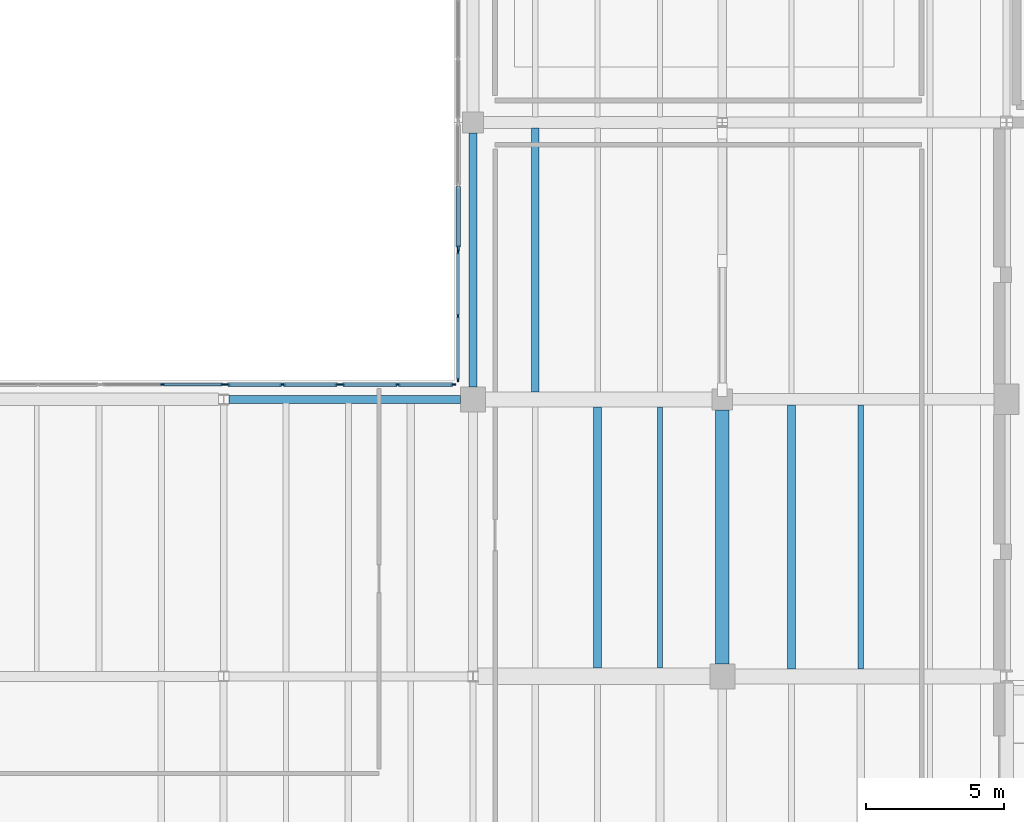
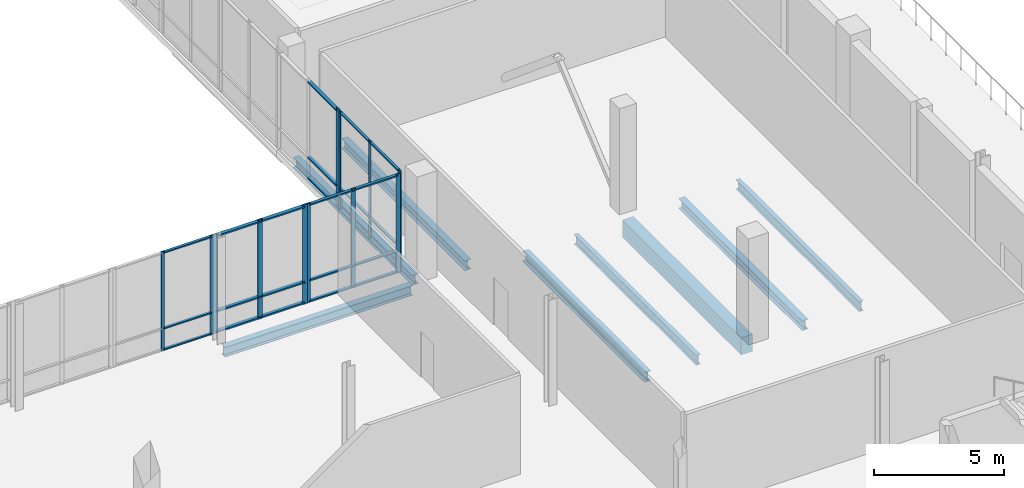
# One storey, part 24 of 81: 36 members, 8 beams, 5 elements without a shape of their own.
"""IFC4 building model written with IfcOpenShell, lengths in metres."""

from ifc_helpers import new_model, si_unit, direction, frame, origin, origin_2d, place, context, subcontext, project, spatial, rectangle, i_section, extrude, material, material_profile, profile_set, type_object, element, aggregate, save


model = new_model("IFC4")

# Units and contexts
model_context = context("Model", 3, precision=1e-05, world=origin(), true_north=direction((0.0, 1.0)))
body_context = subcontext(model_context, "Body", "Model", "MODEL_VIEW")
ifc_project = project(units=[si_unit("LENGTHUNIT", "METRE"), si_unit("AREAUNIT", "SQUARE_METRE"), si_unit("VOLUMEUNIT", "CUBIC_METRE"), si_unit("PLANEANGLEUNIT", "RADIAN"), si_unit("MASSUNIT", "GRAM", prefix="KILO")], contexts=[model_context])

# Site, building, storey
site_placement = place(None, origin())
site = spatial("IfcSite", under=ifc_project, at=site_placement, CompositionType="ELEMENT")
building_placement = place(site_placement, origin())
building = spatial("IfcBuilding", under=site, at=building_placement, Name="Trimount Lyric Opera House", CompositionType="ELEMENT")
storey_placement = place(building_placement, frame((0.0, 0.0, 5.0)))
storey = spatial("IfcBuildingStorey", under=building, at=storey_placement, Name="L01", CompositionType="ELEMENT", Elevation=5.0)

# Beams
ifc_material_1 = material(Name="Concrete C40/50", Category="concrete")
ifc_material_profile_1 = material_profile(ifc_material_1, rectangle(XDim=0.5, YDim=0.800048828125, at=origin_2d()), Name="RC500X800")
ifc_profile_set_1 = profile_set([ifc_material_profile_1], Name="Concrete C40/50")
beam_type_1 = type_object("IfcBeamType", Name="B-15", PredefinedType="BEAM", material=ifc_profile_set_1)
beam_1_placement = place(storey_placement, frame((54.0, 64.449951171875, -0.679931640625), z_axis=(0.0, 1.0, 0.0), x_axis=(-1.0, 0.0, 0.0)))
element("IfcBeam", 1, at=beam_1_placement, inside=storey, type_object=beam_type_1, Name="L01 girder Y-0641", PredefinedType="BEAM", context=body_context, shape_type="SweptSolid", body=[
    extrude(rectangle(XDim=0.5, YDim=0.800048828125, at=origin_2d()), origin(), (0.0, 0.0, 1.0), 9.175048828125),
])
ifc_material_2 = material(Name="Steel ASTM A992 Grade 50", Category="steel")
ifc_material_profile_2 = material_profile(ifc_material_2, i_section(OverallWidth=0.281982421875, OverallDepth=0.467041015625, WebThickness=0.01220703125, FlangeThickness=0.01953125, FilletRadius=0.012939453125, at=origin_2d()), Name="W18X86")
ifc_profile_set_2 = profile_set([ifc_material_profile_2], Name="Steel ASTM A992 Grade 50")
beam_type_2 = type_object("IfcBeamType", Name="J-03", PredefinedType="BEAM", material=ifc_profile_set_2)
beam_2_placement = place(storey_placement, frame((49.5, 64.2958984375, -0.513427734375), z_axis=(0.0, 1.0, 0.0), x_axis=(-1.0, 0.0, 0.0)))
element("IfcBeam", 2, at=beam_2_placement, inside=storey, type_object=beam_type_2, Name="L01 composite floor joist 0645", PredefinedType="BEAM", context=body_context, shape_type="SweptSolid", body=[
    extrude(i_section(OverallWidth=0.281982421875, OverallDepth=0.467041015625, WebThickness=0.01220703125, FlangeThickness=0.01953125, FilletRadius=0.012939453125, at=origin_2d()), origin(), (0.0, 0.0, 1.0), 9.43310546875),
])
for number, where, z_axis, x_axis, name in (
    (3, (47.25, 74.27099609375, -0.513427734375), (0.0, 1.0, 0.0), (-1.0, 0.0, 0.0), "L01 composite floor joist 0647"),
    (4, (56.5, 64.27099609375, -0.513427734375), (0.0, 1.0, 0.0), (-1.0, 0.0, 0.0), "L01 composite floor joist 0671"),
):
    element("IfcBeam", number, at=place(storey_placement, frame(where, z_axis=z_axis, x_axis=x_axis)), inside=storey, type_object=beam_type_2, Name=name, PredefinedType="BEAM", context=body_context, shape_type="SweptSolid", body=[
        extrude(i_section(OverallWidth=0.281982421875, OverallDepth=0.467041015625, WebThickness=0.01220703125, FlangeThickness=0.01953125, FilletRadius=0.012939453125, at=origin_2d()), origin(), (0.0, 0.0, 1.0), 9.5234375),
    ])
ifc_material_3 = material(Name="Steel ASTM A992 Grade 50", Category="steel")
ifc_material_profile_3 = material_profile(ifc_material_3, i_section(OverallWidth=0.19091796875, OverallDepth=0.45703125, WebThickness=0.009033203125, FlangeThickness=0.014404296875, FilletRadius=0.010986328125, at=origin_2d()), Name="W18X50")
ifc_profile_set_3 = profile_set([ifc_material_profile_3], Name="Steel ASTM A992 Grade 50")
beam_type_3 = type_object("IfcBeamType", Name="J-04", PredefinedType="BEAM", material=ifc_profile_set_3)
beam_3_placement = place(storey_placement, frame((51.75, 64.2958984375, -0.508544921875), z_axis=(0.0, 1.0, 0.0), x_axis=(-1.0, 0.0, 0.0)))
element("IfcBeam", 5, at=beam_3_placement, inside=storey, type_object=beam_type_3, Name="L01 composite floor joist 0646", PredefinedType="BEAM", context=body_context, shape_type="SweptSolid", body=[
    extrude(i_section(OverallWidth=0.19091796875, OverallDepth=0.45703125, WebThickness=0.009033203125, FlangeThickness=0.014404296875, FilletRadius=0.010986328125, at=origin_2d()), origin(), (0.0, 0.0, 1.0), 9.43310546875),
])
beam_4_placement = place(storey_placement, frame((59.0, 64.27099609375, -0.508544921875), z_axis=(0.0, 1.0, 0.0), x_axis=(-1.0, 0.0, 0.0)))
element("IfcBeam", 6, at=beam_4_placement, inside=storey, type_object=beam_type_3, Name="L01 composite floor joist 0672", PredefinedType="BEAM", context=body_context, shape_type="SweptSolid", body=[
    extrude(i_section(OverallWidth=0.19091796875, OverallDepth=0.45703125, WebThickness=0.009033203125, FlangeThickness=0.014404296875, FilletRadius=0.010986328125, at=origin_2d()), origin(), (0.0, 0.0, 1.0), 9.5234375),
])

# Curtain wall, members
ifc_material_4 = material(Name="Thermally Broken Aluminium and Low-E Glass", Category="aluminium")
curtain_wall_type = type_object("IfcCurtainWallType", Name="CW-03", PredefinedType="NOTDEFINED", material=ifc_material_4)
curtain_wall_1_placement = place(storey_placement, origin())
curtain_wall_1 = element("IfcCurtainWall", 7, at=curtain_wall_1_placement, inside=storey, type_object=curtain_wall_type, Name="L01 curtain wall 147", PredefinedType="NOTDEFINED")
ifc_material_5 = material(Name="Anodised Aluminium 6063-T6", Category="aluminium")
ifc_material_profile_4 = material_profile(ifc_material_5, rectangle(XDim=0.070068359375, YDim=0.219970703125, at=origin_2d()), Name="ALU-MULL-70X220")
ifc_profile_set_4 = profile_set([ifc_material_profile_4], Name="Anodised Aluminium 6063-T6")
member_type_1 = type_object("IfcMemberType", Name="ML-01", PredefinedType="MULLION", material=ifc_profile_set_4)
member_1_placement = place(storey_placement, frame((36.125, 74.5400390625, 0.0), z_axis=(0.0, 0.0, 1.0), x_axis=(0.0, 1.0, 0.0)))
member_1 = element("IfcMember", 8, at=member_1_placement, type_object=member_type_1, Name="CW-03 mullion 1", PredefinedType="MULLION", context=body_context, shape_type="SweptSolid", body=[
    extrude(rectangle(XDim=0.070068359375, YDim=0.219970703125, at=origin_2d()), origin(), (0.0, 0.0, 1.0), 4.679931640625),
])
member_2_placement = place(storey_placement, frame((38.125, 74.5400390625, 0.0), z_axis=(0.0, 0.0, 1.0), x_axis=(0.0, 1.0, 0.0)))
member_2 = element("IfcMember", 9, at=member_2_placement, type_object=member_type_1, Name="CW-03 mullion 2", PredefinedType="MULLION", context=body_context, shape_type="SweptSolid", body=[
    extrude(rectangle(XDim=0.070068359375, YDim=0.219970703125, at=origin_2d()), origin(), (0.0, 0.0, 1.0), 4.679931640625),
])
member_3_placement = place(storey_placement, frame((40.125, 74.5400390625, 0.0), z_axis=(0.0, 0.0, 1.0), x_axis=(0.0, 1.0, 0.0)))
member_3 = element("IfcMember", 10, at=member_3_placement, type_object=member_type_1, Name="CW-03 mullion 3", PredefinedType="MULLION", context=body_context, shape_type="SweptSolid", body=[
    extrude(rectangle(XDim=0.070068359375, YDim=0.219970703125, at=origin_2d()), origin(), (0.0, 0.0, 1.0), 4.679931640625),
])

# Curtain wall, member
curtain_wall_2_placement = place(storey_placement, origin())
curtain_wall_2 = element("IfcCurtainWall", 11, at=curtain_wall_2_placement, inside=storey, type_object=curtain_wall_type, Name="L01 curtain wall 150", PredefinedType="NOTDEFINED")
member_4_placement = place(storey_placement, frame((44.4599609375, 79.465087890625, 0.0), z_axis=(0.0, 0.0, 1.0), x_axis=(-1.0, 0.0, 0.0)))
member_4 = element("IfcMember", 12, at=member_4_placement, type_object=member_type_1, Name="CW-03 mullion 1", PredefinedType="MULLION", context=body_context, shape_type="SweptSolid", body=[
    extrude(rectangle(XDim=0.070068359375, YDim=0.219970703125, at=origin_2d()), origin(), (0.0, 0.0, 1.0), 4.679931640625),
])

# Curtain wall, members
curtain_wall_3_placement = place(storey_placement, origin())
curtain_wall_3 = element("IfcCurtainWall", 13, at=curtain_wall_3_placement, inside=storey, type_object=curtain_wall_type, Name="L01 curtain wall 148", PredefinedType="NOTDEFINED")
ifc_material_6 = material(Name="Anodised Aluminium 6063-T6", Category="aluminium")
ifc_material_profile_5 = material_profile(ifc_material_6, rectangle(XDim=0.06494140625, YDim=0.179931640625, at=origin_2d()), Name="ALU-MULL-65X180")
ifc_profile_set_5 = profile_set([ifc_material_profile_5], Name="Anodised Aluminium 6063-T6")
member_type_2 = type_object("IfcMemberType", Name="ML-02", PredefinedType="MULLION", material=ifc_profile_set_5)
member_5_placement = place(storey_placement, frame((40.282470703125, 74.5400390625, 0.0), z_axis=(0.0, 0.0, 1.0), x_axis=(0.0, 1.0, 0.0)))
member_5 = element("IfcMember", 14, at=member_5_placement, type_object=member_type_2, Name="CW-03 mullion 1", PredefinedType="MULLION", context=body_context, shape_type="SweptSolid", body=[
    extrude(rectangle(XDim=0.06494140625, YDim=0.179931640625, at=origin_2d()), origin(), (0.0, 0.0, 1.0), 4.679931640625),
])
member_6_placement = place(storey_placement, frame((42.284912109375, 74.5400390625, 0.0), z_axis=(0.0, 0.0, 1.0), x_axis=(0.0, 1.0, 0.0)))
member_6 = element("IfcMember", 15, at=member_6_placement, type_object=member_type_2, Name="CW-03 mullion 2", PredefinedType="MULLION", context=body_context, shape_type="SweptSolid", body=[
    extrude(rectangle(XDim=0.06494140625, YDim=0.179931640625, at=origin_2d()), origin(), (0.0, 0.0, 1.0), 4.679931640625),
])
member_7_placement = place(storey_placement, frame((44.28759765625, 74.5400390625, 0.0), z_axis=(0.0, 0.0, 1.0), x_axis=(0.0, 1.0, 0.0)))
member_7 = element("IfcMember", 16, at=member_7_placement, type_object=member_type_2, Name="CW-03 mullion 3", PredefinedType="MULLION", context=body_context, shape_type="SweptSolid", body=[
    extrude(rectangle(XDim=0.06494140625, YDim=0.179931640625, at=origin_2d()), origin(), (0.0, 0.0, 1.0), 4.679931640625),
])

curtain_wall_4_placement = place(storey_placement, origin())
curtain_wall_4 = element("IfcCurtainWall", 17, at=curtain_wall_4_placement, inside=storey, type_object=curtain_wall_type, Name="L01 curtain wall 146", PredefinedType="NOTDEFINED")
ifc_material_7 = material(Name="Anodised Aluminium 6063-T6", Category="aluminium")
ifc_material_profile_6 = material_profile(ifc_material_7, rectangle(XDim=0.06005859375, YDim=0.14990234375, at=origin_2d()), Name="ALU-MULL-60X150")
ifc_profile_set_6 = profile_set([ifc_material_profile_6], Name="Anodised Aluminium 6063-T6")
member_type_3 = type_object("IfcMemberType", Name="ML-03", PredefinedType="MULLION", material=ifc_profile_set_6)
member_8_placement = place(storey_placement, frame((33.794921875, 74.5400390625, 0.0), z_axis=(0.0, 0.0, 1.0), x_axis=(0.0, 1.0, 0.0)))
member_8 = element("IfcMember", 18, at=member_8_placement, type_object=member_type_3, Name="CW-03 mullion 2", PredefinedType="MULLION", context=body_context, shape_type="SweptSolid", body=[
    extrude(rectangle(XDim=0.06005859375, YDim=0.14990234375, at=origin_2d()), origin(), (0.0, 0.0, 1.0), 4.679931640625),
])
member_9_placement = place(storey_placement, frame((35.969970703125, 74.5400390625, 0.0), z_axis=(0.0, 0.0, 1.0), x_axis=(0.0, 1.0, 0.0)))
member_9 = element("IfcMember", 19, at=member_9_placement, type_object=member_type_3, Name="CW-03 mullion 3", PredefinedType="MULLION", context=body_context, shape_type="SweptSolid", body=[
    extrude(rectangle(XDim=0.06005859375, YDim=0.14990234375, at=origin_2d()), origin(), (0.0, 0.0, 1.0), 4.679931640625),
])

curtain_wall_5_placement = place(storey_placement, origin())
curtain_wall_5 = element("IfcCurtainWall", 20, at=curtain_wall_5_placement, inside=storey, type_object=curtain_wall_type, Name="L01 curtain wall 149", PredefinedType="NOTDEFINED")
member_10_placement = place(storey_placement, frame((44.4599609375, 74.7099609375, 0.0), z_axis=(0.0, 0.0, 1.0), x_axis=(-1.0, 0.0, 0.0)))
member_10 = element("IfcMember", 21, at=member_10_placement, type_object=member_type_3, Name="CW-03 mullion 1", PredefinedType="MULLION", context=body_context, shape_type="SweptSolid", body=[
    extrude(rectangle(XDim=0.06005859375, YDim=0.14990234375, at=origin_2d()), origin(), (0.0, 0.0, 1.0), 4.679931640625),
])
member_11_placement = place(storey_placement, frame((44.4599609375, 77.010009765625, 0.0), z_axis=(0.0, 0.0, 1.0), x_axis=(-1.0, 0.0, 0.0)))
member_11 = element("IfcMember", 22, at=member_11_placement, type_object=member_type_3, Name="CW-03 mullion 2", PredefinedType="MULLION", context=body_context, shape_type="SweptSolid", body=[
    extrude(rectangle(XDim=0.06005859375, YDim=0.14990234375, at=origin_2d()), origin(), (0.0, 0.0, 1.0), 4.679931640625),
])
member_12_placement = place(storey_placement, frame((44.4599609375, 79.31005859375, 0.0), z_axis=(0.0, 0.0, 1.0), x_axis=(-1.0, 0.0, 0.0)))
member_12 = element("IfcMember", 23, at=member_12_placement, type_object=member_type_3, Name="CW-03 mullion 3", PredefinedType="MULLION", context=body_context, shape_type="SweptSolid", body=[
    extrude(rectangle(XDim=0.06005859375, YDim=0.14990234375, at=origin_2d()), origin(), (0.0, 0.0, 1.0), 4.679931640625),
])

# Beams
ifc_material_8 = material(Name="Steel ASTM A992 Grade 50", Category="steel")
ifc_material_profile_7 = material_profile(ifc_material_8, i_section(OverallWidth=0.281982421875, OverallDepth=0.467041015625, WebThickness=0.01220703125, FlangeThickness=0.01953125, FilletRadius=0.012939453125, at=origin_2d()), Name="W18X86")
ifc_profile_set_7 = profile_set([ifc_material_profile_7], Name="Steel ASTM A992 Grade 50")
beam_type_4 = type_object("IfcBeamType", Name="SP-01", PredefinedType="SPANDREL", material=ifc_profile_set_7)
beam_5_placement = place(storey_placement, frame((36.1865234375, 74.0, -0.513427734375), z_axis=(1.0, 0.0, 0.0), x_axis=(0.0, 1.0, 0.0)))
element("IfcBeam", 24, at=beam_5_placement, inside=storey, type_object=beam_type_4, Name="L01 girder X-0524", PredefinedType="SPANDREL", context=body_context, shape_type="SweptSolid", body=[
    extrude(i_section(OverallWidth=0.281982421875, OverallDepth=0.467041015625, WebThickness=0.01220703125, FlangeThickness=0.01953125, FilletRadius=0.012939453125, at=origin_2d()), origin(), (0.0, 0.0, 1.0), 8.363525390625),
])
beam_6_placement = place(storey_placement, frame((45.0, 74.449951171875, -0.513427734375), z_axis=(0.0, 1.0, 0.0), x_axis=(-1.0, 0.0, 0.0)))
element("IfcBeam", 25, at=beam_6_placement, inside=storey, type_object=beam_type_4, Name="L01 girder Y-0632", PredefinedType="SPANDREL", context=body_context, shape_type="SweptSolid", body=[
    extrude(i_section(OverallWidth=0.281982421875, OverallDepth=0.467041015625, WebThickness=0.01220703125, FlangeThickness=0.01953125, FilletRadius=0.012939453125, at=origin_2d()), origin(), (0.0, 0.0, 1.0), 9.175048828125),
])

# Member
ifc_material_9 = material(Name="Anodised Aluminium 6063-T6", Category="aluminium")
ifc_material_profile_8 = material_profile(ifc_material_9, rectangle(XDim=0.159912109375, YDim=0.070068359375, at=origin_2d()), Name="ALU-TRAN-70X160")
ifc_profile_set_8 = profile_set([ifc_material_profile_8], Name="Anodised Aluminium 6063-T6")
member_type_4 = type_object("IfcMemberType", Name="TR-01", PredefinedType="USERDEFINED", material=ifc_profile_set_8)
member_13_placement = place(storey_placement, frame((36.159912109375, 74.5400390625, 0.080078125), z_axis=(1.0, 0.0, 0.0), x_axis=(0.0, 1.0, 0.0)))
member_13 = element("IfcMember", 26, at=member_13_placement, type_object=member_type_4, Name="CW-03 transom 1.1", ObjectType="TRANSOM", PredefinedType="USERDEFINED", context=body_context, shape_type="SweptSolid", body=[
    extrude(rectangle(XDim=0.159912109375, YDim=0.070068359375, at=origin_2d()), origin(), (0.0, 0.0, 1.0), 1.93017578125),
])

member_14_placement = place(storey_placement, frame((36.159912109375, 74.5400390625, 1.050048828125), z_axis=(1.0, 0.0, 0.0), x_axis=(0.0, 1.0, 0.0)))
member_14 = element("IfcMember", 27, at=member_14_placement, type_object=member_type_4, Name="CW-03 transom 1.2", ObjectType="TRANSOM", PredefinedType="USERDEFINED", context=body_context, shape_type="SweptSolid", body=[
    extrude(rectangle(XDim=0.159912109375, YDim=0.070068359375, at=origin_2d()), origin(), (0.0, 0.0, 1.0), 1.93017578125),
])

member_15_placement = place(storey_placement, frame((36.159912109375, 74.5400390625, 4.60009765625), z_axis=(1.0, 0.0, 0.0), x_axis=(0.0, 1.0, 0.0)))
member_15 = element("IfcMember", 28, at=member_15_placement, type_object=member_type_4, Name="CW-03 transom 1.3", ObjectType="TRANSOM", PredefinedType="USERDEFINED", context=body_context, shape_type="SweptSolid", body=[
    extrude(rectangle(XDim=0.159912109375, YDim=0.070068359375, at=origin_2d()), origin(), (0.0, 0.0, 1.0), 1.93017578125),
])

member_16_placement = place(storey_placement, frame((38.159912109375, 74.5400390625, 0.080078125), z_axis=(1.0, 0.0, 0.0), x_axis=(0.0, 1.0, 0.0)))
member_16 = element("IfcMember", 29, at=member_16_placement, type_object=member_type_4, Name="CW-03 transom 2.1", ObjectType="TRANSOM", PredefinedType="USERDEFINED", context=body_context, shape_type="SweptSolid", body=[
    extrude(rectangle(XDim=0.159912109375, YDim=0.070068359375, at=origin_2d()), origin(), (0.0, 0.0, 1.0), 1.93017578125),
])

member_17_placement = place(storey_placement, frame((38.159912109375, 74.5400390625, 1.050048828125), z_axis=(1.0, 0.0, 0.0), x_axis=(0.0, 1.0, 0.0)))
member_17 = element("IfcMember", 30, at=member_17_placement, type_object=member_type_4, Name="CW-03 transom 2.2", ObjectType="TRANSOM", PredefinedType="USERDEFINED", context=body_context, shape_type="SweptSolid", body=[
    extrude(rectangle(XDim=0.159912109375, YDim=0.070068359375, at=origin_2d()), origin(), (0.0, 0.0, 1.0), 1.93017578125),
])

member_18_placement = place(storey_placement, frame((38.159912109375, 74.5400390625, 4.60009765625), z_axis=(1.0, 0.0, 0.0), x_axis=(0.0, 1.0, 0.0)))
member_18 = element("IfcMember", 31, at=member_18_placement, type_object=member_type_4, Name="CW-03 transom 2.3", ObjectType="TRANSOM", PredefinedType="USERDEFINED", context=body_context, shape_type="SweptSolid", body=[
    extrude(rectangle(XDim=0.159912109375, YDim=0.070068359375, at=origin_2d()), origin(), (0.0, 0.0, 1.0), 1.93017578125),
])

aggregate(curtain_wall_1, [member_1, member_2, member_3, member_13, member_14, member_15, member_16, member_17, member_18])

member_19_placement = place(storey_placement, frame((44.4599609375, 79.5, 0.080078125), z_axis=(0.0, 1.0, 0.0), x_axis=(-1.0, 0.0, 0.0)))
member_19 = element("IfcMember", 32, at=member_19_placement, type_object=member_type_4, Name="CW-03 transom 1.1", ObjectType="TRANSOM", PredefinedType="USERDEFINED", context=body_context, shape_type="SweptSolid", body=[
    extrude(rectangle(XDim=0.159912109375, YDim=0.070068359375, at=origin_2d()), origin(), (0.0, 0.0, 1.0), 2.179931640625),
])

member_20_placement = place(storey_placement, frame((44.4599609375, 79.5, 1.050048828125), z_axis=(0.0, 1.0, 0.0), x_axis=(-1.0, 0.0, 0.0)))
member_20 = element("IfcMember", 33, at=member_20_placement, type_object=member_type_4, Name="CW-03 transom 1.2", ObjectType="TRANSOM", PredefinedType="USERDEFINED", context=body_context, shape_type="SweptSolid", body=[
    extrude(rectangle(XDim=0.159912109375, YDim=0.070068359375, at=origin_2d()), origin(), (0.0, 0.0, 1.0), 2.179931640625),
])

member_21_placement = place(storey_placement, frame((44.4599609375, 79.5, 4.60009765625), z_axis=(0.0, 1.0, 0.0), x_axis=(-1.0, 0.0, 0.0)))
member_21 = element("IfcMember", 34, at=member_21_placement, type_object=member_type_4, Name="CW-03 transom 1.3", ObjectType="TRANSOM", PredefinedType="USERDEFINED", context=body_context, shape_type="SweptSolid", body=[
    extrude(rectangle(XDim=0.159912109375, YDim=0.070068359375, at=origin_2d()), origin(), (0.0, 0.0, 1.0), 2.179931640625),
])

aggregate(curtain_wall_2, [member_4, member_19, member_20, member_21])

ifc_material_10 = material(Name="Anodised Aluminium 6063-T6", Category="aluminium")
ifc_material_profile_9 = material_profile(ifc_material_10, rectangle(XDim=0.135009765625, YDim=0.06494140625, at=origin_2d()), Name="ALU-TRAN-65X135")
ifc_profile_set_9 = profile_set([ifc_material_profile_9], Name="Anodised Aluminium 6063-T6")
member_type_5 = type_object("IfcMemberType", Name="TR-02", PredefinedType="USERDEFINED", material=ifc_profile_set_9)
member_22_placement = place(storey_placement, frame((40.31494140625, 74.5400390625, 0.0673828125), z_axis=(1.0, 0.0, 0.0), x_axis=(0.0, 1.0, 0.0)))
member_22 = element("IfcMember", 35, at=member_22_placement, type_object=member_type_5, Name="CW-03 transom 1.1", ObjectType="TRANSOM", PredefinedType="USERDEFINED", context=body_context, shape_type="SweptSolid", body=[
    extrude(rectangle(XDim=0.135009765625, YDim=0.06494140625, at=origin_2d()), origin(), (0.0, 0.0, 1.0), 1.9375),
])

member_23_placement = place(storey_placement, frame((40.31494140625, 74.5400390625, 1.050048828125), z_axis=(1.0, 0.0, 0.0), x_axis=(0.0, 1.0, 0.0)))
member_23 = element("IfcMember", 36, at=member_23_placement, type_object=member_type_5, Name="CW-03 transom 1.2", ObjectType="TRANSOM", PredefinedType="USERDEFINED", context=body_context, shape_type="SweptSolid", body=[
    extrude(rectangle(XDim=0.135009765625, YDim=0.06494140625, at=origin_2d()), origin(), (0.0, 0.0, 1.0), 1.9375),
])

member_24_placement = place(storey_placement, frame((40.31494140625, 74.5400390625, 4.612548828125), z_axis=(1.0, 0.0, 0.0), x_axis=(0.0, 1.0, 0.0)))
member_24 = element("IfcMember", 37, at=member_24_placement, type_object=member_type_5, Name="CW-03 transom 1.3", ObjectType="TRANSOM", PredefinedType="USERDEFINED", context=body_context, shape_type="SweptSolid", body=[
    extrude(rectangle(XDim=0.135009765625, YDim=0.06494140625, at=origin_2d()), origin(), (0.0, 0.0, 1.0), 1.9375),
])

member_25_placement = place(storey_placement, frame((42.3173828125, 74.5400390625, 0.0673828125), z_axis=(1.0, 0.0, 0.0), x_axis=(0.0, 1.0, 0.0)))
member_25 = element("IfcMember", 38, at=member_25_placement, type_object=member_type_5, Name="CW-03 transom 2.1", ObjectType="TRANSOM", PredefinedType="USERDEFINED", context=body_context, shape_type="SweptSolid", body=[
    extrude(rectangle(XDim=0.135009765625, YDim=0.06494140625, at=origin_2d()), origin(), (0.0, 0.0, 1.0), 1.9375),
])

member_26_placement = place(storey_placement, frame((42.3173828125, 74.5400390625, 1.050048828125), z_axis=(1.0, 0.0, 0.0), x_axis=(0.0, 1.0, 0.0)))
member_26 = element("IfcMember", 39, at=member_26_placement, type_object=member_type_5, Name="CW-03 transom 2.2", ObjectType="TRANSOM", PredefinedType="USERDEFINED", context=body_context, shape_type="SweptSolid", body=[
    extrude(rectangle(XDim=0.135009765625, YDim=0.06494140625, at=origin_2d()), origin(), (0.0, 0.0, 1.0), 1.9375),
])

member_27_placement = place(storey_placement, frame((42.3173828125, 74.5400390625, 4.612548828125), z_axis=(1.0, 0.0, 0.0), x_axis=(0.0, 1.0, 0.0)))
member_27 = element("IfcMember", 40, at=member_27_placement, type_object=member_type_5, Name="CW-03 transom 2.3", ObjectType="TRANSOM", PredefinedType="USERDEFINED", context=body_context, shape_type="SweptSolid", body=[
    extrude(rectangle(XDim=0.135009765625, YDim=0.06494140625, at=origin_2d()), origin(), (0.0, 0.0, 1.0), 1.9375),
])

aggregate(curtain_wall_3, [member_5, member_6, member_7, member_22, member_23, member_24, member_25, member_26, member_27])

ifc_material_11 = material(Name="Anodised Aluminium 6063-T6", Category="aluminium")
ifc_material_profile_10 = material_profile(ifc_material_11, rectangle(XDim=0.114990234375, YDim=0.06005859375, at=origin_2d()), Name="ALU-TRAN-60X115")
ifc_profile_set_10 = profile_set([ifc_material_profile_10], Name="Anodised Aluminium 6063-T6")
member_type_6 = type_object("IfcMemberType", Name="TR-03", PredefinedType="USERDEFINED", material=ifc_profile_set_10)
member_28_placement = place(storey_placement, frame((33.824951171875, 74.5400390625, 0.0576171875), z_axis=(1.0, 0.0, 0.0), x_axis=(0.0, 1.0, 0.0)))
member_28 = element("IfcMember", 41, at=member_28_placement, type_object=member_type_6, Name="CW-03 transom 2.1", ObjectType="TRANSOM", PredefinedType="USERDEFINED", context=body_context, shape_type="SweptSolid", body=[
    extrude(rectangle(XDim=0.114990234375, YDim=0.06005859375, at=origin_2d()), origin(), (0.0, 0.0, 1.0), 2.114990234375),
])

member_29_placement = place(storey_placement, frame((33.824951171875, 74.5400390625, 1.050048828125), z_axis=(1.0, 0.0, 0.0), x_axis=(0.0, 1.0, 0.0)))
member_29 = element("IfcMember", 42, at=member_29_placement, type_object=member_type_6, Name="CW-03 transom 2.2", ObjectType="TRANSOM", PredefinedType="USERDEFINED", context=body_context, shape_type="SweptSolid", body=[
    extrude(rectangle(XDim=0.114990234375, YDim=0.06005859375, at=origin_2d()), origin(), (0.0, 0.0, 1.0), 2.114990234375),
])

member_30_placement = place(storey_placement, frame((33.824951171875, 74.5400390625, 4.62255859375), z_axis=(1.0, 0.0, 0.0), x_axis=(0.0, 1.0, 0.0)))
member_30 = element("IfcMember", 43, at=member_30_placement, type_object=member_type_6, Name="CW-03 transom 2.3", ObjectType="TRANSOM", PredefinedType="USERDEFINED", context=body_context, shape_type="SweptSolid", body=[
    extrude(rectangle(XDim=0.114990234375, YDim=0.06005859375, at=origin_2d()), origin(), (0.0, 0.0, 1.0), 2.114990234375),
])

aggregate(curtain_wall_4, [member_8, member_9, member_28, member_29, member_30])

member_31_placement = place(storey_placement, frame((44.4599609375, 74.739990234375, 0.0576171875), z_axis=(0.0, 1.0, 0.0), x_axis=(-1.0, 0.0, 0.0)))
member_31 = element("IfcMember", 44, at=member_31_placement, type_object=member_type_6, Name="CW-03 transom 1.1", ObjectType="TRANSOM", PredefinedType="USERDEFINED", context=body_context, shape_type="SweptSolid", body=[
    extrude(rectangle(XDim=0.114990234375, YDim=0.06005859375, at=origin_2d()), origin(), (0.0, 0.0, 1.0), 2.239990234375),
])

member_32_placement = place(storey_placement, frame((44.4599609375, 74.739990234375, 1.050048828125), z_axis=(0.0, 1.0, 0.0), x_axis=(-1.0, 0.0, 0.0)))
member_32 = element("IfcMember", 45, at=member_32_placement, type_object=member_type_6, Name="CW-03 transom 1.2", ObjectType="TRANSOM", PredefinedType="USERDEFINED", context=body_context, shape_type="SweptSolid", body=[
    extrude(rectangle(XDim=0.114990234375, YDim=0.06005859375, at=origin_2d()), origin(), (0.0, 0.0, 1.0), 2.239990234375),
])

member_33_placement = place(storey_placement, frame((44.4599609375, 74.739990234375, 4.62255859375), z_axis=(0.0, 1.0, 0.0), x_axis=(-1.0, 0.0, 0.0)))
member_33 = element("IfcMember", 46, at=member_33_placement, type_object=member_type_6, Name="CW-03 transom 1.3", ObjectType="TRANSOM", PredefinedType="USERDEFINED", context=body_context, shape_type="SweptSolid", body=[
    extrude(rectangle(XDim=0.114990234375, YDim=0.06005859375, at=origin_2d()), origin(), (0.0, 0.0, 1.0), 2.239990234375),
])

member_34_placement = place(storey_placement, frame((44.4599609375, 77.0400390625, 0.0576171875), z_axis=(0.0, 1.0, 0.0), x_axis=(-1.0, 0.0, 0.0)))
member_34 = element("IfcMember", 47, at=member_34_placement, type_object=member_type_6, Name="CW-03 transom 2.1", ObjectType="TRANSOM", PredefinedType="USERDEFINED", context=body_context, shape_type="SweptSolid", body=[
    extrude(rectangle(XDim=0.114990234375, YDim=0.06005859375, at=origin_2d()), origin(), (0.0, 0.0, 1.0), 2.239990234375),
])

member_35_placement = place(storey_placement, frame((44.4599609375, 77.0400390625, 1.050048828125), z_axis=(0.0, 1.0, 0.0), x_axis=(-1.0, 0.0, 0.0)))
member_35 = element("IfcMember", 48, at=member_35_placement, type_object=member_type_6, Name="CW-03 transom 2.2", ObjectType="TRANSOM", PredefinedType="USERDEFINED", context=body_context, shape_type="SweptSolid", body=[
    extrude(rectangle(XDim=0.114990234375, YDim=0.06005859375, at=origin_2d()), origin(), (0.0, 0.0, 1.0), 2.239990234375),
])

member_36_placement = place(storey_placement, frame((44.4599609375, 77.0400390625, 4.62255859375), z_axis=(0.0, 1.0, 0.0), x_axis=(-1.0, 0.0, 0.0)))
member_36 = element("IfcMember", 49, at=member_36_placement, type_object=member_type_6, Name="CW-03 transom 2.3", ObjectType="TRANSOM", PredefinedType="USERDEFINED", context=body_context, shape_type="SweptSolid", body=[
    extrude(rectangle(XDim=0.114990234375, YDim=0.06005859375, at=origin_2d()), origin(), (0.0, 0.0, 1.0), 2.239990234375),
])

aggregate(curtain_wall_5, [member_10, member_11, member_12, member_31, member_32, member_33, member_34, member_35, member_36])

save(model, "model.ifc")
